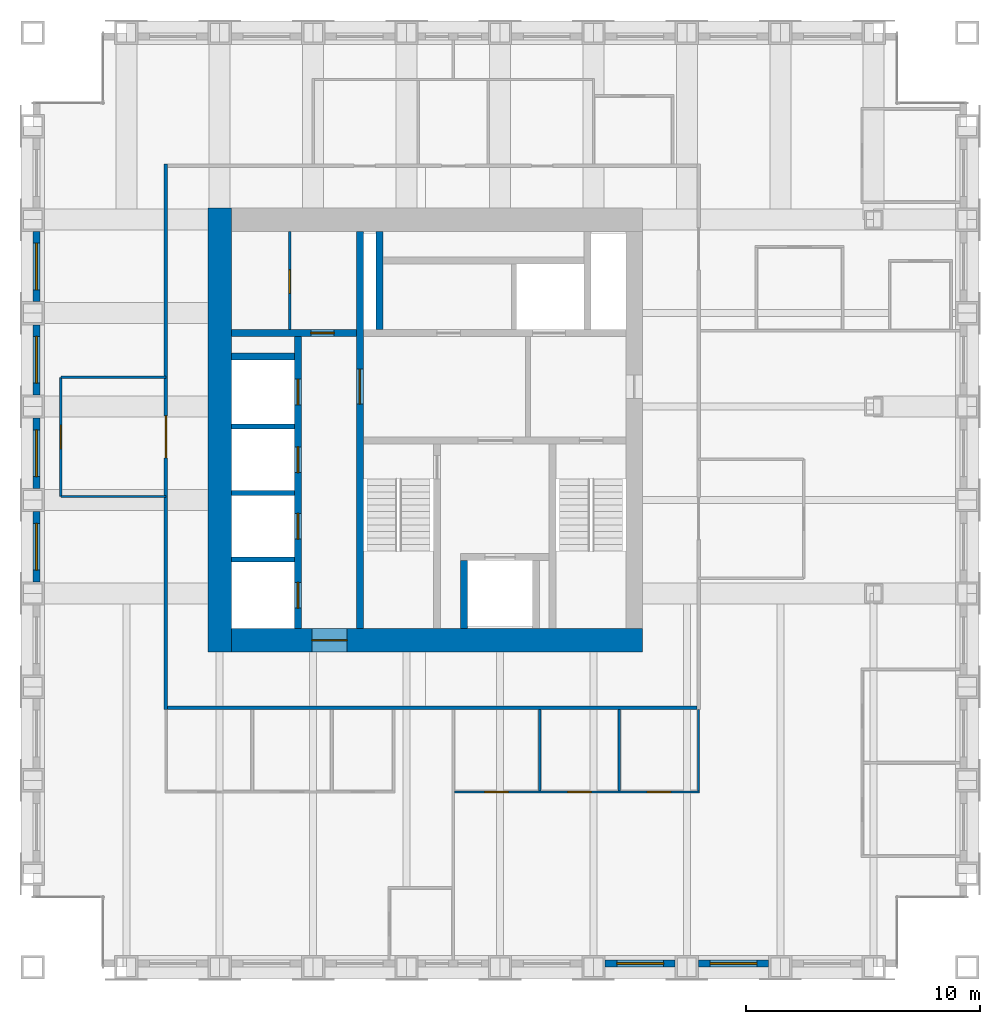
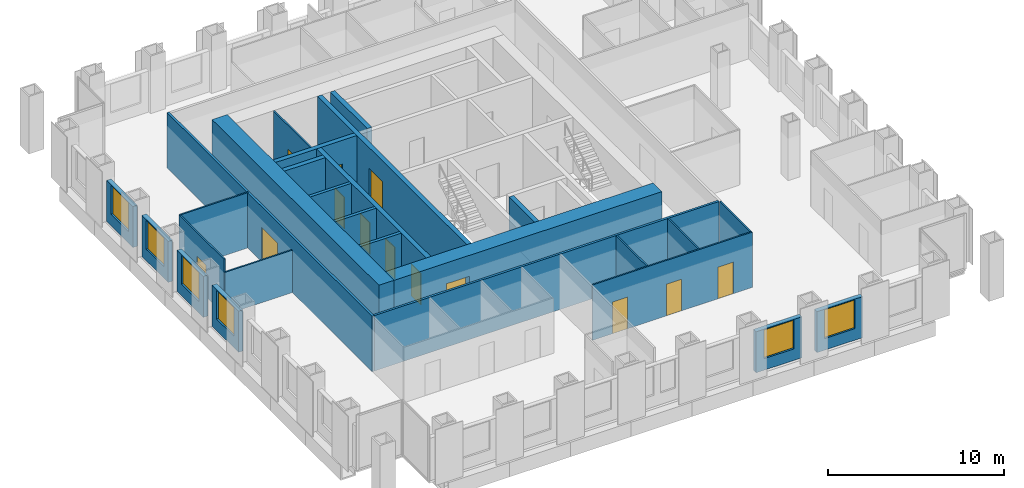
# One storey, part 8 of 13: 27 walls, 13 doors, 6 windows, 19 openings.
"""IFC4 building model written with IfcOpenShell, lengths in metres."""

import ifcopenshell
import ifcopenshell.guid

model = None  # the IFC model being written
_history = None  # IfcOwnerHistory: only IFC2X3 demands one
_inside = {}  # id of a spatial element -> (the spatial element, [elements in it])
_under = {}  # id of a project, library or spatial element -> (it, [spatial elements below it])
_declared = {}  # id of a project -> (the project, [libraries it declares])
_typed = {}  # id of a type object -> (the type object, [elements of that type])
_made_of = {}  # id of a material, layer set ... -> (it, [elements and type objects made of it])


def new_model(schema):
    """Start an empty IFC model of exactly this schema.

    Asked for "IFC4X3", IfcOpenShell would pick the latest addendum, in which some entities
    have other attributes; the version numbers below select the first issue.
    IFC2X3 requires an IfcOwnerHistory on every rooted entity: one is made here for all.
    """
    global model, _history
    if schema == "IFC4X3":
        model = ifcopenshell.file(schema_version=(4, 3, 0, 0))
    else:
        model = ifcopenshell.file(schema=schema)
    _inside.clear()
    _under.clear()
    _declared.clear()
    _typed.clear()
    _made_of.clear()
    _history = None
    if model.schema == "IFC2X3":
        org = make("IfcOrganization", Name="unknown")
        user = make(
            "IfcPersonAndOrganization",
            ThePerson=make("IfcPerson", FamilyName="unknown"),
            TheOrganization=org,
        )
        app = make(
            "IfcApplication",
            ApplicationDeveloper=org,
            Version="unknown",
            ApplicationFullName="unknown",
            ApplicationIdentifier="unknown",
        )
        _history = make(
            "IfcOwnerHistory",
            OwningUser=user,
            OwningApplication=app,
            ChangeAction="ADDED",
            CreationDate=0,
        )
    return model


def make(cls, **values):
    """One entity of the class cls with the attributes given. An attribute that is None is left unset."""
    return model.create_entity(
        cls, **{name: value for name, value in values.items() if value is not None}
    )


def rooted(cls, **values):
    """An entity with a GlobalId (a new one), such as an element, a storey or a relation."""
    return make(cls, GlobalId=ifcopenshell.guid.new(), OwnerHistory=_history, **values)


def si_unit(unit_type, name, prefix=None):
    """IfcSIUnit, for example si_unit("LENGTHUNIT", "METRE", prefix="MILLI")."""
    return make("IfcSIUnit", UnitType=unit_type, Prefix=prefix, Name=name)


def assignment(units):
    """IfcUnitAssignment: the units of a project."""
    return None if units is None else make("IfcUnitAssignment", Units=units)


def point(xyz):
    """IfcCartesianPoint."""
    return None if xyz is None else make("IfcCartesianPoint", Coordinates=xyz)


def direction(xyz):
    """IfcDirection."""
    return None if xyz is None else make("IfcDirection", DirectionRatios=xyz)


def frame(location, z_axis=None, x_axis=None):
    """IfcAxis2Placement3D, a coordinate frame: its origin and axes. An axis left out is left unset."""
    return make(
        "IfcAxis2Placement3D",
        Location=point(location),
        Axis=direction(z_axis),
        RefDirection=direction(x_axis),
    )


def frame_2d(location, x_axis=None):
    """IfcAxis2Placement2D, a coordinate frame in the plane: its origin and x axis."""
    return make(
        "IfcAxis2Placement2D", Location=point(location), RefDirection=direction(x_axis)
    )


def origin():
    """The frame at (0, 0, 0) with its axes left unset."""
    return frame((0.0, 0.0, 0.0))


def place(relative_to, where):
    """IfcLocalPlacement: puts the frame where relative to a parent placement (None: the world)."""
    return make(
        "IfcLocalPlacement", PlacementRelTo=relative_to, RelativePlacement=where
    )


def context(
    kind, dimensions, precision=None, world=None, true_north=None, identifier=None
):
    """IfcGeometricRepresentationContext, for example the 3D "Model" context."""
    return make(
        "IfcGeometricRepresentationContext",
        ContextIdentifier=identifier,
        ContextType=kind,
        CoordinateSpaceDimension=dimensions,
        Precision=precision,
        WorldCoordinateSystem=world,
        TrueNorth=true_north,
    )


def subcontext(parent, identifier, kind, view, scale=None):
    """IfcGeometricRepresentationSubContext, for example "Body" below "Model"."""
    return make(
        "IfcGeometricRepresentationSubContext",
        ContextIdentifier=identifier,
        ContextType=kind,
        ParentContext=parent,
        TargetScale=scale,
        TargetView=view,
    )


def project(units=None, contexts=None):
    """IfcProject with its units and contexts."""
    return rooted(
        "IfcProject",
        Name="project",
        RepresentationContexts=contexts,
        UnitsInContext=assignment(units),
    )


def spatial(cls, under=None, at=None, **own):
    """A site, building, storey or space (cls), placed at a placement, below another one or the project."""
    s = rooted(cls, ObjectPlacement=at, **own)
    if under is not None:
        _under.setdefault(under.id(), (under, []))[1].append(s)
    return s


def profile(cls, at=None, kind="AREA", **sizes):
    """A parametric profile (cls). Its sizes go by their IFC names, for example OverallWidth=200.0."""
    return make(cls, ProfileType=kind, Position=at, **sizes)


def rectangle(**sizes):
    """IfcRectangleProfileDef."""
    return profile("IfcRectangleProfileDef", **sizes)


def extrude(swept, where, along, depth):
    """IfcExtrudedAreaSolid: the profile swept, set in the frame where, extruded along a direction by depth."""
    return make(
        "IfcExtrudedAreaSolid",
        SweptArea=swept,
        Position=where,
        ExtrudedDirection=direction(along),
        Depth=depth,
    )


def shape(context_of_items, identifier, shape_type, items):
    """IfcShapeRepresentation: the items that make up one representation, for example the "Body"."""
    return make(
        "IfcShapeRepresentation",
        ContextOfItems=context_of_items,
        RepresentationIdentifier=identifier,
        RepresentationType=shape_type,
        Items=items,
    )


def material(Name=None, Category=None):
    """IfcMaterial."""
    return make("IfcMaterial", Name=Name, Category=Category)


def layer(
    of_material, thickness, ventilated=None, Name=None, Category=None, Priority=None
):
    """IfcMaterialLayer: one layer of a wall or slab, of a material (None: an air gap)."""
    return make(
        "IfcMaterialLayer",
        Material=of_material,
        LayerThickness=thickness,
        IsVentilated=ventilated,
        Name=Name,
        Category=Category,
        Priority=Priority,
    )


def layer_set(layers, Name=None):
    """IfcMaterialLayerSet."""
    return make("IfcMaterialLayerSet", MaterialLayers=layers, LayerSetName=Name)


def made_of(thing, what):
    """Note that an element or type object is made of a material, layer set ...; save() writes the relation."""
    if what is not None:
        _made_of.setdefault(what.id(), (what, []))[1].append(thing)
    return thing


def type_object(cls, material=None, **own):
    """A type object (cls), such as IfcWallType, which elements share."""
    return made_of(rooted(cls, **own), material)


def element(
    cls,
    number,
    at=None,
    inside=None,
    cuts=None,
    type_object=None,
    material=None,
    context=None,
    identifier="Body",
    shape_type=None,
    held_by="IfcProductDefinitionShape",
    body=None,
    shapes=None,
    **own,
):
    """One element of the class cls, such as IfcWall. Its Tag is "e" and its number.

    at: its placement. inside: the storey or other place that contains it. cuts: it is an
    opening in that element (IfcRelVoidsElement). A single representation is given by context,
    identifier, shape_type and body (its items); several are given by shapes. held_by: the class
    of the entity that holds the representations. save() writes the other relations.
    """
    e = rooted(cls, Tag="e%d" % number, ObjectPlacement=at, **own)
    if body is not None:
        shapes = [shape(context, identifier, shape_type, body)]
    if shapes is not None:
        e.Representation = make(held_by, Representations=shapes)
    if inside is not None:
        _inside.setdefault(inside.id(), (inside, []))[1].append(e)
    if cuts is not None:
        rooted(
            "IfcRelVoidsElement", RelatingBuildingElement=cuts, RelatedOpeningElement=e
        )
    if type_object is not None:
        _typed.setdefault(type_object.id(), (type_object, []))[1].append(e)
    return made_of(e, material)


def fill(opening, filler):
    """IfcRelFillsElement: the door or window that sits in an opening."""
    return rooted(
        "IfcRelFillsElement",
        RelatingOpeningElement=opening,
        RelatedBuildingElement=filler,
    )


def aggregate(whole, parts):
    """IfcRelAggregates: a whole, such as a stair, and the parts it consists of."""
    return rooted("IfcRelAggregates", RelatingObject=whole, RelatedObjects=parts)


def save(model, path):
    """Write the relations noted so far, then the file.

    IfcRelAggregates (storeys below a building ...), IfcRelContainedInSpatialStructure (elements
    in a storey), IfcRelDefinesByType, IfcRelAssociatesMaterial and IfcRelDeclares: one each for
    every whole, place, type object, material and project.
    """
    for whole, parts in _under.values():
        aggregate(whole, parts)
    for where, things in _inside.values():
        rooted(
            "IfcRelContainedInSpatialStructure",
            RelatedElements=things,
            RelatingStructure=where,
        )
    for kind, things in _typed.values():
        rooted("IfcRelDefinesByType", RelatedObjects=things, RelatingType=kind)
    for what, things in _made_of.values():
        rooted("IfcRelAssociatesMaterial", RelatedObjects=things, RelatingMaterial=what)
    for by, libraries in _declared.values():
        rooted("IfcRelDeclares", RelatingContext=by, RelatedDefinitions=libraries)
    model.write(path)


model = new_model("IFC4")

# Units and contexts
model_context = context("Model", 3, precision=1e-05, world=origin(), true_north=direction((0.0, 1.0)))
body_context = subcontext(model_context, "Body", "Model", "MODEL_VIEW")
ifc_project = project(units=[si_unit("LENGTHUNIT", "METRE"), si_unit("AREAUNIT", "SQUARE_METRE"), si_unit("VOLUMEUNIT", "CUBIC_METRE"), si_unit("PLANEANGLEUNIT", "RADIAN"), si_unit("MASSUNIT", "GRAM", prefix="KILO")], contexts=[model_context])

# Site, building, storey
site_placement = place(None, origin())
site = spatial("IfcSite", under=ifc_project, at=site_placement, CompositionType="ELEMENT")
building_placement = place(site_placement, origin())
building = spatial("IfcBuilding", under=site, at=building_placement, Name="Rimbunsela Tower", CompositionType="ELEMENT")
storey_placement = place(building_placement, frame((0.0, 0.0, 254.199951171875)))
storey = spatial("IfcBuildingStorey", under=building, at=storey_placement, Name="L61", CompositionType="ELEMENT", Elevation=254.199951171875)

# Wall, opening, door
ifc_material_1 = material(Name="Concrete fc' 80 MPa", Category="concrete")
ifc_layer_1 = layer(ifc_material_1, 0.300048828125)
ifc_layer_set_1 = layer_set([ifc_layer_1], Name="Core internal wall 300")
wall_type_1 = type_object("IfcWallType", Name="Core internal wall 300", PredefinedType="SHEAR", material=ifc_layer_set_1)
wall_1_placement = place(storey_placement, frame((24.0, 18.5, -0.14990234375), z_axis=(0.0, 0.0, 1.0), x_axis=(0.0, 1.0, 0.0)))
wall_1 = element("IfcWall", 1, at=wall_1_placement, inside=storey, type_object=wall_type_1, Name="Core wall at stair A", PredefinedType="SHEAR", context=body_context, shape_type="SweptSolid", body=[
    extrude(rectangle(XDim=17.0, YDim=0.300048828125, at=frame_2d((8.5, 0.0))), origin(), (0.0, 0.0, 1.0), 4.0),
])
opening_1_placement = place(wall_1_placement, frame((9.60009765625, 0.0, 0.14990234375)))
opening_1 = element("IfcOpeningElement", 2, at=opening_1_placement, cuts=wall_1, Name="Opening D03", PredefinedType="OPENING", context=body_context, shape_type="SweptSolid", body=[
    extrude(rectangle(XDim=1.5, YDim=2.39990234375, at=frame_2d((0.75, 1.199951171875))), frame((0.0, 0.159912109375, 0.0), z_axis=(0.0, -1.0, 0.0), x_axis=(1.0, 0.0, 0.0)), (0.0, 0.0, 1.0), 0.320068359375),
])
ifc_material_2 = material(Name="Steel door, fire rated", Category="steel")
door_type_1 = type_object("IfcDoorType", Name="Core lobby door 1500", OperationType="DOUBLE_DOOR_DOUBLE_SWING", PredefinedType="DOOR", material=ifc_material_2)
door_1_placement = place(opening_1_placement, origin())
door_1 = element("IfcDoor", 3, at=door_1_placement, inside=storey, type_object=door_type_1, Name="West lobby door", OperationType="DOUBLE_DOOR_DOUBLE_SWING", OverallHeight=2.39990234375, OverallWidth=1.5, PredefinedType="DOOR", context=body_context, shape_type="SweptSolid", body=[
    extrude(rectangle(XDim=1.5, YDim=2.39990234375, at=frame_2d((0.75, 1.199951171875))), frame((0.0, 0.02490234375, 0.0), z_axis=(0.0, -1.0, 0.0), x_axis=(1.0, 0.0, 0.0)), (0.0, 0.0, 1.0), 0.050048828125),
])
fill(opening_1, door_1)

# Wall
wall_2_placement = place(storey_placement, frame((28.449951171875, 18.5, -0.14990234375), z_axis=(0.0, 0.0, 1.0), x_axis=(0.0, 1.0, 0.0)))
element("IfcWall", 4, at=wall_2_placement, inside=storey, type_object=wall_type_1, Name="Firefighting lift shaft west", PredefinedType="SHEAR", context=body_context, shape_type="SweptSolid", body=[
    extrude(rectangle(XDim=2.89990234375, YDim=0.300048828125, at=frame_2d((1.449951171875, 0.0))), origin(), (0.0, 0.0, 1.0), 4.0),
])

# Wall, openings, doors
wall_3_placement = place(storey_placement, frame((21.35009765625, 18.5, -0.14990234375), z_axis=(0.0, 0.0, 1.0), x_axis=(0.0, 1.0, 0.0)))
wall_3 = element("IfcWall", 5, at=wall_3_placement, inside=storey, type_object=wall_type_1, Name="Lift shaft front west", PredefinedType="SHEAR", context=body_context, shape_type="SweptSolid", body=[
    extrude(rectangle(XDim=12.5, YDim=0.300048828125, at=frame_2d((6.25, 0.0))), origin(), (0.0, 0.0, 1.0), 4.0),
])
opening_2_placement = place(wall_3_placement, frame((0.875, 0.0, 0.14990234375)))
opening_2 = element("IfcOpeningElement", 6, at=opening_2_placement, cuts=wall_3, Name="Opening LD1", PredefinedType="OPENING", context=body_context, shape_type="SweptSolid", body=[
    extrude(rectangle(XDim=1.10009765625, YDim=2.199951171875, at=frame_2d((0.550048828125, 1.10009765625))), frame((0.0, 0.159912109375, 0.0), z_axis=(0.0, -1.0, 0.0), x_axis=(1.0, 0.0, 0.0)), (0.0, 0.0, 1.0), 0.320068359375),
])
opening_3_placement = place(wall_3_placement, frame((3.824951171875, 0.0, 0.14990234375)))
opening_3 = element("IfcOpeningElement", 7, at=opening_3_placement, cuts=wall_3, Name="Opening LD1", PredefinedType="OPENING", context=body_context, shape_type="SweptSolid", body=[
    extrude(rectangle(XDim=1.10009765625, YDim=2.199951171875, at=frame_2d((0.550048828125, 1.10009765625))), frame((0.0, 0.159912109375, 0.0), z_axis=(0.0, -1.0, 0.0), x_axis=(1.0, 0.0, 0.0)), (0.0, 0.0, 1.0), 0.320068359375),
])
opening_4_placement = place(wall_3_placement, frame((6.675048828125, 0.0, 0.14990234375)))
opening_4 = element("IfcOpeningElement", 8, at=opening_4_placement, cuts=wall_3, Name="Opening LD1", PredefinedType="OPENING", context=body_context, shape_type="SweptSolid", body=[
    extrude(rectangle(XDim=1.10009765625, YDim=2.199951171875, at=frame_2d((0.550048828125, 1.10009765625))), frame((0.0, 0.159912109375, 0.0), z_axis=(0.0, -1.0, 0.0), x_axis=(1.0, 0.0, 0.0)), (0.0, 0.0, 1.0), 0.320068359375),
])
opening_5_placement = place(wall_3_placement, frame((9.574951171875, 0.0, 0.14990234375)))
opening_5 = element("IfcOpeningElement", 9, at=opening_5_placement, cuts=wall_3, Name="Opening LD1", PredefinedType="OPENING", context=body_context, shape_type="SweptSolid", body=[
    extrude(rectangle(XDim=1.10009765625, YDim=2.199951171875, at=frame_2d((0.550048828125, 1.10009765625))), frame((0.0, 0.159912109375, 0.0), z_axis=(0.0, -1.0, 0.0), x_axis=(1.0, 0.0, 0.0)), (0.0, 0.0, 1.0), 0.320068359375),
])
ifc_material_3 = material(Name="Steel door, fire rated", Category="steel")
door_type_2 = type_object("IfcDoorType", Name="Lift landing door 1100", OperationType="DOUBLE_DOOR_SLIDING", PredefinedType="DOOR", material=ifc_material_3)
door_2_placement = place(opening_2_placement, origin())
door_2 = element("IfcDoor", 10, at=door_2_placement, inside=storey, type_object=door_type_2, Name="Lift landing door TL1", OperationType="DOUBLE_DOOR_SLIDING", OverallHeight=2.199951171875, OverallWidth=1.10009765625, PredefinedType="DOOR", context=body_context, shape_type="SweptSolid", body=[
    extrude(rectangle(XDim=1.10009765625, YDim=2.199951171875, at=frame_2d((0.550048828125, 1.10009765625))), frame((0.0, 0.02490234375, 0.0), z_axis=(0.0, -1.0, 0.0), x_axis=(1.0, 0.0, 0.0)), (0.0, 0.0, 1.0), 0.050048828125),
])
fill(opening_2, door_2)
door_3_placement = place(opening_3_placement, origin())
door_3 = element("IfcDoor", 11, at=door_3_placement, inside=storey, type_object=door_type_2, Name="Lift landing door TL2", OperationType="DOUBLE_DOOR_SLIDING", OverallHeight=2.199951171875, OverallWidth=1.10009765625, PredefinedType="DOOR", context=body_context, shape_type="SweptSolid", body=[
    extrude(rectangle(XDim=1.10009765625, YDim=2.199951171875, at=frame_2d((0.550048828125, 1.10009765625))), frame((0.0, 0.02490234375, 0.0), z_axis=(0.0, -1.0, 0.0), x_axis=(1.0, 0.0, 0.0)), (0.0, 0.0, 1.0), 0.050048828125),
])
fill(opening_3, door_3)
door_4_placement = place(opening_4_placement, origin())
door_4 = element("IfcDoor", 12, at=door_4_placement, inside=storey, type_object=door_type_2, Name="Lift landing door TL3", OperationType="DOUBLE_DOOR_SLIDING", OverallHeight=2.199951171875, OverallWidth=1.10009765625, PredefinedType="DOOR", context=body_context, shape_type="SweptSolid", body=[
    extrude(rectangle(XDim=1.10009765625, YDim=2.199951171875, at=frame_2d((0.550048828125, 1.10009765625))), frame((0.0, 0.02490234375, 0.0), z_axis=(0.0, -1.0, 0.0), x_axis=(1.0, 0.0, 0.0)), (0.0, 0.0, 1.0), 0.050048828125),
])
fill(opening_4, door_4)
door_5_placement = place(opening_5_placement, origin())
door_5 = element("IfcDoor", 13, at=door_5_placement, inside=storey, type_object=door_type_2, Name="Lift landing door TL4", OperationType="DOUBLE_DOOR_SLIDING", OverallHeight=2.199951171875, OverallWidth=1.10009765625, PredefinedType="DOOR", context=body_context, shape_type="SweptSolid", body=[
    extrude(rectangle(XDim=1.10009765625, YDim=2.199951171875, at=frame_2d((0.550048828125, 1.10009765625))), frame((0.0, 0.02490234375, 0.0), z_axis=(0.0, -1.0, 0.0), x_axis=(1.0, 0.0, 0.0)), (0.0, 0.0, 1.0), 0.050048828125),
])
fill(opening_5, door_5)

# Wall, opening, door
wall_4_placement = place(storey_placement, frame((18.5, 31.14990234375, -0.14990234375), z_axis=(0.0, 0.0, 1.0), x_axis=(1.0, 0.0, 0.0)))
wall_4 = element("IfcWall", 14, at=wall_4_placement, inside=storey, type_object=wall_type_1, Name="Store wall", PredefinedType="SHEAR", context=body_context, shape_type="SweptSolid", body=[
    extrude(rectangle(XDim=5.35009765625, YDim=0.300048828125, at=frame_2d((2.675048828125, 0.0))), origin(), (0.0, 0.0, 1.0), 4.0),
])
opening_6_placement = place(wall_4_placement, frame((3.39990234375, 0.0, 0.14990234375)))
opening_6 = element("IfcOpeningElement", 15, at=opening_6_placement, cuts=wall_4, Name="Opening D19", PredefinedType="OPENING", context=body_context, shape_type="SweptSolid", body=[
    extrude(rectangle(XDim=1.0, YDim=2.199951171875, at=frame_2d((0.5, 1.10009765625))), frame((0.0, 0.159912109375, 0.0), z_axis=(0.0, -1.0, 0.0), x_axis=(1.0, 0.0, 0.0)), (0.0, 0.0, 1.0), 0.320068359375),
])
ifc_material_4 = material(Name="Steel door, fire rated", Category="steel")
door_type_3 = type_object("IfcDoorType", Name="Service door 1000 fire rated", OperationType="SINGLE_SWING_LEFT", PredefinedType="DOOR", material=ifc_material_4)
door_6_placement = place(opening_6_placement, origin())
door_6 = element("IfcDoor", 16, at=door_6_placement, inside=storey, type_object=door_type_3, Name="Facilities store door", OperationType="SINGLE_SWING_LEFT", OverallHeight=2.199951171875, OverallWidth=1.0, PredefinedType="DOOR", context=body_context, shape_type="SweptSolid", body=[
    extrude(rectangle(XDim=1.0, YDim=2.199951171875, at=frame_2d((0.5, 1.10009765625))), frame((0.0, 0.02490234375, 0.0), z_axis=(0.0, -1.0, 0.0), x_axis=(1.0, 0.0, 0.0)), (0.0, 0.0, 1.0), 0.050048828125),
])
fill(opening_6, door_6)

# Walls
wall_5_placement = place(storey_placement, frame((18.5, 30.14990234375, -0.14990234375), z_axis=(0.0, 0.0, 1.0), x_axis=(1.0, 0.0, 0.0)))
element("IfcWall", 17, at=wall_5_placement, inside=storey, type_object=wall_type_1, Name="Lift shaft rear west", PredefinedType="SHEAR", context=body_context, shape_type="SweptSolid", body=[
    extrude(rectangle(XDim=2.699951171875, YDim=0.300048828125, at=frame_2d((1.35009765625, 0.0))), origin(), (0.0, 0.0, 1.0), 4.0),
])
wall_6_placement = place(storey_placement, frame((24.85009765625, 31.300048828125, -0.14990234375), z_axis=(0.0, 0.0, 1.0), x_axis=(0.0, 1.0, 0.0)))
element("IfcWall", 18, at=wall_6_placement, inside=storey, type_object=wall_type_1, Name="Riser wall", PredefinedType="SHEAR", context=body_context, shape_type="SweptSolid", body=[
    extrude(rectangle(XDim=4.199951171875, YDim=0.300048828125, at=frame_2d((2.10009765625, 0.0))), origin(), (0.0, 0.0, 1.0), 4.0),
])

# Wall, opening, door
ifc_material_5 = material(Name="Concrete blockwork", Category="masonry")
ifc_layer_2 = layer(ifc_material_5, 0.10009765625)
ifc_layer_set_2 = layer_set([ifc_layer_2], Name="Core room partition 100")
wall_type_2 = type_object("IfcWallType", Name="Core room partition 100", PredefinedType="PARTITIONING", material=ifc_layer_set_2)
wall_7_placement = place(storey_placement, frame((21.0, 31.300048828125, 0.0), z_axis=(0.0, 0.0, 1.0), x_axis=(0.0, 1.0, 0.0)))
wall_7 = element("IfcWall", 19, at=wall_7_placement, inside=storey, type_object=wall_type_2, Name="Equipment store wall", PredefinedType="PARTITIONING", context=body_context, shape_type="SweptSolid", body=[
    extrude(rectangle(XDim=4.199951171875, YDim=0.10009765625, at=frame_2d((2.10009765625, 0.0))), origin(), (0.0, 0.0, 1.0), 3.85009765625),
])
opening_7_placement = place(wall_7_placement, frame((1.550048828125, 0.0, 0.0)))
opening_7 = element("IfcOpeningElement", 20, at=opening_7_placement, cuts=wall_7, Name="Opening D19", PredefinedType="OPENING", context=body_context, shape_type="SweptSolid", body=[
    extrude(rectangle(XDim=1.0, YDim=2.199951171875, at=frame_2d((0.5, 1.10009765625))), frame((0.0, 0.06005859375, 0.0), z_axis=(0.0, -1.0, 0.0), x_axis=(1.0, 0.0, 0.0)), (0.0, 0.0, 1.0), 0.1201171875),
])
door_7_placement = place(opening_7_placement, origin())
door_7 = element("IfcDoor", 21, at=door_7_placement, inside=storey, type_object=door_type_3, Name="Equipment store door", OperationType="SINGLE_SWING_LEFT", OverallHeight=2.199951171875, OverallWidth=1.0, PredefinedType="DOOR", context=body_context, shape_type="SweptSolid", body=[
    extrude(rectangle(XDim=1.0, YDim=2.199951171875, at=frame_2d((0.5, 1.10009765625))), frame((0.0, 0.02490234375, 0.0), z_axis=(0.0, -1.0, 0.0), x_axis=(1.0, 0.0, 0.0)), (0.0, 0.0, 1.0), 0.050048828125),
])
fill(opening_7, door_7)

# Wall
ifc_material_6 = material(Name="Concrete fc' 80 MPa", Category="concrete")
ifc_layer_3 = layer(ifc_material_6, 1.0)
ifc_layer_set_3 = layer_set([ifc_layer_3], Name="Core wall 1000")
wall_type_3 = type_object("IfcWallType", Name="Core wall 1000", PredefinedType="SHEAR", material=ifc_layer_set_3)
wall_8_placement = place(storey_placement, frame((18.0, 17.5, -0.14990234375), z_axis=(0.0, 0.0, 1.0), x_axis=(0.0, 1.0, 0.0)))
element("IfcWall", 22, at=wall_8_placement, inside=storey, type_object=wall_type_3, Name="Core wall west", PredefinedType="SHEAR", context=body_context, shape_type="SweptSolid", body=[
    extrude(rectangle(XDim=19.0, YDim=1.0, at=frame_2d((9.5, 0.0))), origin(), (0.0, 0.0, 1.0), 4.0),
])

# Wall, opening, door
wall_9_placement = place(storey_placement, frame((18.5, 18.0, -0.14990234375), z_axis=(0.0, 0.0, 1.0), x_axis=(1.0, 0.0, 0.0)))
wall_9 = element("IfcWall", 23, at=wall_9_placement, inside=storey, type_object=wall_type_3, Name="Core wall south", PredefinedType="SHEAR", context=body_context, shape_type="SweptSolid", body=[
    extrude(rectangle(XDim=17.60009765625, YDim=1.0, at=frame_2d((8.800048828125, 0.0))), origin(), (0.0, 0.0, 1.0), 4.0),
])
opening_8_placement = place(wall_9_placement, frame((3.449951171875, 0.0, 0.14990234375)))
opening_8 = element("IfcOpeningElement", 24, at=opening_8_placement, cuts=wall_9, Name="Opening D03", PredefinedType="OPENING", context=body_context, shape_type="SweptSolid", body=[
    extrude(rectangle(XDim=1.5, YDim=2.39990234375, at=frame_2d((0.75, 1.199951171875))), frame((0.0, 0.510009765625, 0.0), z_axis=(0.0, -1.0, 0.0), x_axis=(1.0, 0.0, 0.0)), (0.0, 0.0, 1.0), 1.02001953125),
])
door_8_placement = place(opening_8_placement, origin())
door_8 = element("IfcDoor", 25, at=door_8_placement, inside=storey, type_object=door_type_1, Name="Core door south", OperationType="DOUBLE_DOOR_DOUBLE_SWING", OverallHeight=2.39990234375, OverallWidth=1.5, PredefinedType="DOOR", context=body_context, shape_type="SweptSolid", body=[
    extrude(rectangle(XDim=1.5, YDim=2.39990234375, at=frame_2d((0.75, 1.199951171875))), frame((0.0, 0.02490234375, 0.0), z_axis=(0.0, -1.0, 0.0), x_axis=(1.0, 0.0, 0.0)), (0.0, 0.0, 1.0), 0.050048828125),
])
fill(opening_8, door_8)

# Walls
ifc_material_7 = material(Name="Concrete blockwork", Category="masonry")
ifc_layer_4 = layer(ifc_material_7, 0.199951171875)
ifc_layer_set_4 = layer_set([ifc_layer_4], Name="Lift shaft wall 200")
wall_type_4 = type_object("IfcWallType", Name="Lift shaft wall 200", PredefinedType="SOLIDWALL", material=ifc_layer_set_4)
for number, where, z_axis, x_axis, name in (
    (26, (18.5, 21.449951171875, -0.14990234375), (0.0, 0.0, 1.0), (1.0, 0.0, 0.0), "Lift shaft separation"),
    (27, (18.5, 24.300048828125, -0.14990234375), (0.0, 0.0, 1.0), (1.0, 0.0, 0.0), "Lift shaft separation"),
    (28, (18.5, 27.14990234375, -0.14990234375), (0.0, 0.0, 1.0), (1.0, 0.0, 0.0), "Lift shaft separation"),
):
    element("IfcWall", number, at=place(storey_placement, frame(where, z_axis=z_axis, x_axis=x_axis)), inside=storey, type_object=wall_type_4, Name=name, PredefinedType="SOLIDWALL", context=body_context, shape_type="SweptSolid", body=[
        extrude(rectangle(XDim=2.699951171875, YDim=0.199951171875, at=frame_2d((1.35009765625, 0.0))), origin(), (0.0, 0.0, 1.0), 4.0),
    ])

# Wall, openings, doors
ifc_material_8 = material(Name="Gypsum board on steel studs", Category="steel")
ifc_layer_5 = layer(ifc_material_8, 0.10009765625)
ifc_layer_set_5 = layer_set([ifc_layer_5], Name="Office partition 100")
wall_type_5 = type_object("IfcWallType", Name="Office partition 100", PredefinedType="PARTITIONING", material=ifc_layer_set_5)
wall_10_placement = place(storey_placement, frame((28.06103515625, 11.5, 0.0), z_axis=(0.0, 0.0, 1.0), x_axis=(1.0, 0.0, 0.0)))
wall_10 = element("IfcWall", 29, at=wall_10_placement, inside=storey, type_object=wall_type_5, Name="Office partition", PredefinedType="PARTITIONING", context=body_context, shape_type="SweptSolid", body=[
    extrude(rectangle(XDim=10.489013671875, YDim=0.10009765625, at=frame_2d((5.24462890625, 0.0))), origin(), (0.0, 0.0, 1.0), 3.85009765625),
])
opening_9_placement = place(wall_10_placement, frame((1.2900390625, 0.0, 0.0)))
opening_9 = element("IfcOpeningElement", 30, at=opening_9_placement, cuts=wall_10, Name="Opening D17", PredefinedType="OPENING", context=body_context, shape_type="SweptSolid", body=[
    extrude(rectangle(XDim=1.0, YDim=2.199951171875, at=frame_2d((0.5, 1.10009765625))), frame((0.0, 0.06005859375, 0.0), z_axis=(0.0, -1.0, 0.0), x_axis=(1.0, 0.0, 0.0)), (0.0, 0.0, 1.0), 0.1201171875),
])
opening_10_placement = place(wall_10_placement, frame((4.840087890625, 0.0, 0.0)))
opening_10 = element("IfcOpeningElement", 31, at=opening_10_placement, cuts=wall_10, Name="Opening D16", PredefinedType="OPENING", context=body_context, shape_type="SweptSolid", body=[
    extrude(rectangle(XDim=1.0, YDim=2.199951171875, at=frame_2d((0.5, 1.10009765625))), frame((0.0, 0.06005859375, 0.0), z_axis=(0.0, -1.0, 0.0), x_axis=(1.0, 0.0, 0.0)), (0.0, 0.0, 1.0), 0.1201171875),
])
opening_11_placement = place(wall_10_placement, frame((8.239501953125, 0.0, 0.0)))
opening_11 = element("IfcOpeningElement", 32, at=opening_11_placement, cuts=wall_10, Name="Opening D16", PredefinedType="OPENING", context=body_context, shape_type="SweptSolid", body=[
    extrude(rectangle(XDim=1.0, YDim=2.199951171875, at=frame_2d((0.5, 1.10009765625))), frame((0.0, 0.06005859375, 0.0), z_axis=(0.0, -1.0, 0.0), x_axis=(1.0, 0.0, 0.0)), (0.0, 0.0, 1.0), 0.1201171875),
])
ifc_material_9 = material(Name="Glazed aluminium door", Category="aluminium")
door_type_4 = type_object("IfcDoorType", Name="Meeting room door 1000 glazed", OperationType="SINGLE_SWING_RIGHT", PredefinedType="DOOR", material=ifc_material_9)
door_9_placement = place(opening_9_placement, origin())
door_9 = element("IfcDoor", 33, at=door_9_placement, inside=storey, type_object=door_type_4, Name="Meeting room door", OperationType="SINGLE_SWING_RIGHT", OverallHeight=2.199951171875, OverallWidth=1.0, PredefinedType="DOOR", context=body_context, shape_type="SweptSolid", body=[
    extrude(rectangle(XDim=1.0, YDim=2.199951171875, at=frame_2d((0.5, 1.10009765625))), frame((0.0, 0.02490234375, 0.0), z_axis=(0.0, -1.0, 0.0), x_axis=(1.0, 0.0, 0.0)), (0.0, 0.0, 1.0), 0.050048828125),
])
fill(opening_9, door_9)
ifc_material_10 = material(Name="Timber door", Category="wood")
door_type_5 = type_object("IfcDoorType", Name="Office door 1000", OperationType="SINGLE_SWING_LEFT", PredefinedType="DOOR", material=ifc_material_10)
door_10_placement = place(opening_10_placement, origin())
door_10 = element("IfcDoor", 34, at=door_10_placement, inside=storey, type_object=door_type_5, Name="Office door", OperationType="SINGLE_SWING_LEFT", OverallHeight=2.199951171875, OverallWidth=1.0, PredefinedType="DOOR", context=body_context, shape_type="SweptSolid", body=[
    extrude(rectangle(XDim=1.0, YDim=2.199951171875, at=frame_2d((0.5, 1.10009765625))), frame((0.0, 0.02490234375, 0.0), z_axis=(0.0, -1.0, 0.0), x_axis=(1.0, 0.0, 0.0)), (0.0, 0.0, 1.0), 0.050048828125),
])
fill(opening_10, door_10)
door_11_placement = place(opening_11_placement, origin())
door_11 = element("IfcDoor", 35, at=door_11_placement, inside=storey, type_object=door_type_5, Name="Office door", OperationType="SINGLE_SWING_LEFT", OverallHeight=2.199951171875, OverallWidth=1.0, PredefinedType="DOOR", context=body_context, shape_type="SweptSolid", body=[
    extrude(rectangle(XDim=1.0, YDim=2.199951171875, at=frame_2d((0.5, 1.10009765625))), frame((0.0, 0.02490234375, 0.0), z_axis=(0.0, -1.0, 0.0), x_axis=(1.0, 0.0, 0.0)), (0.0, 0.0, 1.0), 0.050048828125),
])
fill(opening_11, door_11)

# Walls
for number, where, z_axis, x_axis, name in (
    (36, (31.700927734375, 11.550048828125, 0.0), (0.0, 0.0, 1.0), (0.0, 1.0, 0.0), "Office partition"),
    (37, (35.10107421875, 11.550048828125, 0.0), (0.0, 0.0, 1.0), (0.0, 1.0, 0.0), "Office partition"),
    (38, (38.5, 11.550048828125, 0.0), (0.0, 0.0, 1.0), (0.0, 1.0, 0.0), "Office partition"),
):
    element("IfcWall", number, at=place(storey_placement, frame(where, z_axis=z_axis, x_axis=x_axis)), inside=storey, type_object=wall_type_5, Name=name, PredefinedType="PARTITIONING", context=body_context, shape_type="SweptSolid", body=[
        extrude(rectangle(XDim=3.474853515625, YDim=0.10009765625, at=frame_2d((1.7373046875, 0.0))), origin(), (0.0, 0.0, 1.0), 3.85009765625),
    ])
wall_11_placement = place(storey_placement, frame((15.699951171875, 29.25, 0.0), z_axis=(0.0, 0.0, 1.0), x_axis=(-1.0, 0.0, 0.0)))
element("IfcWall", 39, at=wall_11_placement, inside=storey, type_object=wall_type_5, Name="Office partition", PredefinedType="PARTITIONING", context=body_context, shape_type="SweptSolid", body=[
    extrude(rectangle(XDim=4.5, YDim=0.10009765625, at=frame_2d((2.25, 0.0))), origin(), (0.0, 0.0, 1.0), 3.85009765625),
])

# Wall, opening, door
wall_12_placement = place(storey_placement, frame((11.199951171875, 29.25, 0.0), z_axis=(0.0, 0.0, 1.0), x_axis=(0.0, -1.0, 0.0)))
wall_12 = element("IfcWall", 40, at=wall_12_placement, inside=storey, type_object=wall_type_5, Name="Office partition", PredefinedType="PARTITIONING", context=body_context, shape_type="SweptSolid", body=[
    extrude(rectangle(XDim=5.10009765625, YDim=0.10009765625, at=frame_2d((2.550048828125, 0.0))), origin(), (0.0, 0.0, 1.0), 3.85009765625),
])
opening_12_placement = place(wall_12_placement, frame((2.050048828125, 0.0, 0.0)))
opening_12 = element("IfcOpeningElement", 41, at=opening_12_placement, cuts=wall_12, Name="Opening D17", PredefinedType="OPENING", context=body_context, shape_type="SweptSolid", body=[
    extrude(rectangle(XDim=1.0, YDim=2.199951171875, at=frame_2d((0.5, 1.10009765625))), frame((0.0, 0.06005859375, 0.0), z_axis=(0.0, -1.0, 0.0), x_axis=(1.0, 0.0, 0.0)), (0.0, 0.0, 1.0), 0.1201171875),
])
door_12_placement = place(opening_12_placement, origin())
door_12 = element("IfcDoor", 42, at=door_12_placement, inside=storey, type_object=door_type_4, Name="Reception door", OperationType="SINGLE_SWING_RIGHT", OverallHeight=2.199951171875, OverallWidth=1.0, PredefinedType="DOOR", context=body_context, shape_type="SweptSolid", body=[
    extrude(rectangle(XDim=1.0, YDim=2.199951171875, at=frame_2d((0.5, 1.10009765625))), frame((0.0, 0.02490234375, 0.0), z_axis=(0.0, -1.0, 0.0), x_axis=(1.0, 0.0, 0.0)), (0.0, 0.0, 1.0), 0.050048828125),
])
fill(opening_12, door_12)

# Wall
wall_13_placement = place(storey_placement, frame((11.199951171875, 24.14990234375, 0.0), z_axis=(0.0, 0.0, 1.0), x_axis=(1.0, 0.0, 0.0)))
element("IfcWall", 43, at=wall_13_placement, inside=storey, type_object=wall_type_5, Name="Office partition", PredefinedType="PARTITIONING", context=body_context, shape_type="SweptSolid", body=[
    extrude(rectangle(XDim=4.5, YDim=0.10009765625, at=frame_2d((2.25, 0.0))), origin(), (0.0, 0.0, 1.0), 2.949951171875),
])

# Wall, opening, window
ifc_material_11 = material(Name="Precast concrete fc' 35 MPa", Category="concrete")
ifc_layer_6 = layer(ifc_material_11, 0.300048828125)
ifc_layer_set_6 = layer_set([ifc_layer_6], Name="Precast concrete fc' 35 MPa")
wall_type_6 = type_object("IfcWallType", Name="Precast facade panel 300", PredefinedType="ELEMENTEDWALL", material=ifc_layer_set_6)
wall_14_placement = place(storey_placement, frame((34.5, 4.14990234375, 0.0), z_axis=(0.0, 0.0, 1.0), x_axis=(1.0, 0.0, 0.0)))
wall_14 = element("IfcWall", 44, at=wall_14_placement, inside=storey, type_object=wall_type_6, Name="Facade panel S L61", PredefinedType="ELEMENTEDWALL", context=body_context, shape_type="SweptSolid", body=[
    extrude(rectangle(XDim=3.0, YDim=0.300048828125, at=frame_2d((1.5, 0.0))), origin(), (0.0, 0.0, 1.0), 2.85009765625),
])
opening_13_placement = place(wall_14_placement, frame((0.5, 0.0, 0.800048828125)))
opening_13 = element("IfcOpeningElement", 45, at=opening_13_placement, cuts=wall_14, Name="Opening W1", PredefinedType="OPENING", context=body_context, shape_type="SweptSolid", body=[
    extrude(rectangle(XDim=2.0, YDim=2.0, at=frame_2d((1.0, 1.0))), frame((0.0, 0.159912109375, 0.0), z_axis=(0.0, -1.0, 0.0), x_axis=(1.0, 0.0, 0.0)), (0.0, 0.0, 1.0), 0.320068359375),
])
ifc_material_12 = material(Name="Clear glass in aluminium frame", Category="aluminium")
window_type = type_object("IfcWindowType", Name="Window W1 2000x2000", PartitioningType="DOUBLE_PANEL_VERTICAL", PredefinedType="WINDOW", material=ifc_material_12)
window_1_placement = place(opening_13_placement, origin())
window_1 = element("IfcWindow", 46, at=window_1_placement, inside=storey, type_object=window_type, Name="Window L61", OverallHeight=2.0, OverallWidth=2.0, PartitioningType="SINGLE_PANEL", PredefinedType="WINDOW", context=body_context, shape_type="SweptSolid", body=[
    extrude(rectangle(XDim=2.0, YDim=2.0, at=frame_2d((1.0, 1.0))), frame((0.0, 0.030029296875, 0.0), z_axis=(0.0, -1.0, 0.0), x_axis=(1.0, 0.0, 0.0)), (0.0, 0.0, 1.0), 0.06005859375),
])
fill(opening_13, window_1)

wall_15_placement = place(storey_placement, frame((38.5, 4.14990234375, 0.0), z_axis=(0.0, 0.0, 1.0), x_axis=(1.0, 0.0, 0.0)))
wall_15 = element("IfcWall", 47, at=wall_15_placement, inside=storey, type_object=wall_type_6, Name="Facade panel S L61", PredefinedType="ELEMENTEDWALL", context=body_context, shape_type="SweptSolid", body=[
    extrude(rectangle(XDim=3.0, YDim=0.300048828125, at=frame_2d((1.5, 0.0))), origin(), (0.0, 0.0, 1.0), 2.85009765625),
])
opening_14_placement = place(wall_15_placement, frame((0.5, 0.0, 0.800048828125)))
opening_14 = element("IfcOpeningElement", 48, at=opening_14_placement, cuts=wall_15, Name="Opening W1", PredefinedType="OPENING", context=body_context, shape_type="SweptSolid", body=[
    extrude(rectangle(XDim=2.0, YDim=2.0, at=frame_2d((1.0, 1.0))), frame((0.0, 0.159912109375, 0.0), z_axis=(0.0, -1.0, 0.0), x_axis=(1.0, 0.0, 0.0)), (0.0, 0.0, 1.0), 0.320068359375),
])
window_2_placement = place(opening_14_placement, origin())
window_2 = element("IfcWindow", 49, at=window_2_placement, inside=storey, type_object=window_type, Name="Window L61", OverallHeight=2.0, OverallWidth=2.0, PartitioningType="SINGLE_PANEL", PredefinedType="WINDOW", context=body_context, shape_type="SweptSolid", body=[
    extrude(rectangle(XDim=2.0, YDim=2.0, at=frame_2d((1.0, 1.0))), frame((0.0, 0.030029296875, 0.0), z_axis=(0.0, -1.0, 0.0), x_axis=(1.0, 0.0, 0.0)), (0.0, 0.0, 1.0), 0.06005859375),
])
fill(opening_14, window_2)

wall_16_placement = place(storey_placement, frame((10.14990234375, 23.5, 0.0), z_axis=(0.0, 0.0, 1.0), x_axis=(0.0, -1.0, 0.0)))
wall_16 = element("IfcWall", 50, at=wall_16_placement, inside=storey, type_object=wall_type_6, Name="Facade panel W L61", PredefinedType="ELEMENTEDWALL", context=body_context, shape_type="SweptSolid", body=[
    extrude(rectangle(XDim=3.0, YDim=0.300048828125, at=frame_2d((1.5, 0.0))), origin(), (0.0, 0.0, 1.0), 2.85009765625),
])
opening_15_placement = place(wall_16_placement, frame((0.5, 0.0, 0.800048828125)))
opening_15 = element("IfcOpeningElement", 51, at=opening_15_placement, cuts=wall_16, Name="Opening W1", PredefinedType="OPENING", context=body_context, shape_type="SweptSolid", body=[
    extrude(rectangle(XDim=2.0, YDim=2.0, at=frame_2d((1.0, 1.0))), frame((0.0, 0.159912109375, 0.0), z_axis=(0.0, -1.0, 0.0), x_axis=(1.0, 0.0, 0.0)), (0.0, 0.0, 1.0), 0.320068359375),
])
window_3_placement = place(opening_15_placement, origin())
window_3 = element("IfcWindow", 52, at=window_3_placement, inside=storey, type_object=window_type, Name="Window L61", OverallHeight=2.0, OverallWidth=2.0, PartitioningType="SINGLE_PANEL", PredefinedType="WINDOW", context=body_context, shape_type="SweptSolid", body=[
    extrude(rectangle(XDim=2.0, YDim=2.0, at=frame_2d((1.0, 1.0))), frame((0.0, 0.030029296875, 0.0), z_axis=(0.0, -1.0, 0.0), x_axis=(1.0, 0.0, 0.0)), (0.0, 0.0, 1.0), 0.06005859375),
])
fill(opening_15, window_3)

wall_17_placement = place(storey_placement, frame((10.14990234375, 27.5, 0.0), z_axis=(0.0, 0.0, 1.0), x_axis=(0.0, -1.0, 0.0)))
wall_17 = element("IfcWall", 53, at=wall_17_placement, inside=storey, type_object=wall_type_6, Name="Facade panel W L61", PredefinedType="ELEMENTEDWALL", context=body_context, shape_type="SweptSolid", body=[
    extrude(rectangle(XDim=3.0, YDim=0.300048828125, at=frame_2d((1.5, 0.0))), origin(), (0.0, 0.0, 1.0), 2.85009765625),
])
opening_16_placement = place(wall_17_placement, frame((0.5, 0.0, 0.800048828125)))
opening_16 = element("IfcOpeningElement", 54, at=opening_16_placement, cuts=wall_17, Name="Opening W1", PredefinedType="OPENING", context=body_context, shape_type="SweptSolid", body=[
    extrude(rectangle(XDim=2.0, YDim=2.0, at=frame_2d((1.0, 1.0))), frame((0.0, 0.159912109375, 0.0), z_axis=(0.0, -1.0, 0.0), x_axis=(1.0, 0.0, 0.0)), (0.0, 0.0, 1.0), 0.320068359375),
])
window_4_placement = place(opening_16_placement, origin())
window_4 = element("IfcWindow", 55, at=window_4_placement, inside=storey, type_object=window_type, Name="Window L61", OverallHeight=2.0, OverallWidth=2.0, PartitioningType="SINGLE_PANEL", PredefinedType="WINDOW", context=body_context, shape_type="SweptSolid", body=[
    extrude(rectangle(XDim=2.0, YDim=2.0, at=frame_2d((1.0, 1.0))), frame((0.0, 0.030029296875, 0.0), z_axis=(0.0, -1.0, 0.0), x_axis=(1.0, 0.0, 0.0)), (0.0, 0.0, 1.0), 0.06005859375),
])
fill(opening_16, window_4)

wall_18_placement = place(storey_placement, frame((10.14990234375, 31.5, 0.0), z_axis=(0.0, 0.0, 1.0), x_axis=(0.0, -1.0, 0.0)))
wall_18 = element("IfcWall", 56, at=wall_18_placement, inside=storey, type_object=wall_type_6, Name="Facade panel W L61", PredefinedType="ELEMENTEDWALL", context=body_context, shape_type="SweptSolid", body=[
    extrude(rectangle(XDim=3.0, YDim=0.300048828125, at=frame_2d((1.5, 0.0))), origin(), (0.0, 0.0, 1.0), 2.85009765625),
])
opening_17_placement = place(wall_18_placement, frame((0.5, 0.0, 0.800048828125)))
opening_17 = element("IfcOpeningElement", 57, at=opening_17_placement, cuts=wall_18, Name="Opening W1", PredefinedType="OPENING", context=body_context, shape_type="SweptSolid", body=[
    extrude(rectangle(XDim=2.0, YDim=2.0, at=frame_2d((1.0, 1.0))), frame((0.0, 0.159912109375, 0.0), z_axis=(0.0, -1.0, 0.0), x_axis=(1.0, 0.0, 0.0)), (0.0, 0.0, 1.0), 0.320068359375),
])
window_5_placement = place(opening_17_placement, origin())
window_5 = element("IfcWindow", 58, at=window_5_placement, inside=storey, type_object=window_type, Name="Window L61", OverallHeight=2.0, OverallWidth=2.0, PartitioningType="SINGLE_PANEL", PredefinedType="WINDOW", context=body_context, shape_type="SweptSolid", body=[
    extrude(rectangle(XDim=2.0, YDim=2.0, at=frame_2d((1.0, 1.0))), frame((0.0, 0.030029296875, 0.0), z_axis=(0.0, -1.0, 0.0), x_axis=(1.0, 0.0, 0.0)), (0.0, 0.0, 1.0), 0.06005859375),
])
fill(opening_17, window_5)

wall_19_placement = place(storey_placement, frame((10.14990234375, 35.5, 0.0), z_axis=(0.0, 0.0, 1.0), x_axis=(0.0, -1.0, 0.0)))
wall_19 = element("IfcWall", 59, at=wall_19_placement, inside=storey, type_object=wall_type_6, Name="Facade panel W L61", PredefinedType="ELEMENTEDWALL", context=body_context, shape_type="SweptSolid", body=[
    extrude(rectangle(XDim=3.0, YDim=0.300048828125, at=frame_2d((1.5, 0.0))), origin(), (0.0, 0.0, 1.0), 2.85009765625),
])
opening_18_placement = place(wall_19_placement, frame((0.5, 0.0, 0.800048828125)))
opening_18 = element("IfcOpeningElement", 60, at=opening_18_placement, cuts=wall_19, Name="Opening W1", PredefinedType="OPENING", context=body_context, shape_type="SweptSolid", body=[
    extrude(rectangle(XDim=2.0, YDim=2.0, at=frame_2d((1.0, 1.0))), frame((0.0, 0.159912109375, 0.0), z_axis=(0.0, -1.0, 0.0), x_axis=(1.0, 0.0, 0.0)), (0.0, 0.0, 1.0), 0.320068359375),
])
window_6_placement = place(opening_18_placement, origin())
window_6 = element("IfcWindow", 61, at=window_6_placement, inside=storey, type_object=window_type, Name="Window L61", OverallHeight=2.0, OverallWidth=2.0, PartitioningType="SINGLE_PANEL", PredefinedType="WINDOW", context=body_context, shape_type="SweptSolid", body=[
    extrude(rectangle(XDim=2.0, YDim=2.0, at=frame_2d((1.0, 1.0))), frame((0.0, 0.030029296875, 0.0), z_axis=(0.0, -1.0, 0.0), x_axis=(1.0, 0.0, 0.0)), (0.0, 0.0, 1.0), 0.06005859375),
])
fill(opening_18, window_6)

# Wall, opening, door
ifc_material_13 = material(Name="Fire-rated gypsum board on steel studs, EI 60", Category="steel")
ifc_layer_7 = layer(ifc_material_13, 0.14990234375)
ifc_layer_set_7 = layer_set([ifc_layer_7], Name="Rated corridor wall 150")
wall_type_7 = type_object("IfcWallType", Name="Rated corridor wall 150", PredefinedType="PARTITIONING", material=ifc_layer_set_7)
wall_20_placement = place(storey_placement, frame((15.699951171875, 15.02490234375, 0.0), z_axis=(0.0, 0.0, 1.0), x_axis=(0.0, 1.0, 0.0)))
wall_20 = element("IfcWall", 62, at=wall_20_placement, inside=storey, type_object=wall_type_7, Name="Corridor wall west", PredefinedType="PARTITIONING", context=body_context, shape_type="SweptSolid", body=[
    extrude(rectangle(XDim=23.35009765625, YDim=0.14990234375, at=frame_2d((11.675048828125, 0.0))), origin(), (0.0, 0.0, 1.0), 3.85009765625),
])
opening_19_placement = place(wall_20_placement, frame((10.77490234375, 0.0, 0.0)))
opening_19 = element("IfcOpeningElement", 63, at=opening_19_placement, cuts=wall_20, Name="Opening D09", PredefinedType="OPENING", context=body_context, shape_type="SweptSolid", body=[
    extrude(rectangle(XDim=1.800048828125, YDim=2.39990234375, at=frame_2d((0.89990234375, 1.199951171875))), frame((0.0, 0.0849609375, 0.0), z_axis=(0.0, -1.0, 0.0), x_axis=(1.0, 0.0, 0.0)), (0.0, 0.0, 1.0), 0.169921875),
])
ifc_material_14 = material(Name="Glazed aluminium door, fire rated", Category="aluminium")
door_type_6 = type_object("IfcDoorType", Name="Tenancy door 1800 glazed", OperationType="DOUBLE_DOOR_DOUBLE_SWING", PredefinedType="DOOR", material=ifc_material_14)
door_13_placement = place(opening_19_placement, origin())
door_13 = element("IfcDoor", 64, at=door_13_placement, inside=storey, type_object=door_type_6, Name="Tenancy door", OperationType="DOUBLE_DOOR_DOUBLE_SWING", OverallHeight=2.39990234375, OverallWidth=1.800048828125, PredefinedType="DOOR", context=body_context, shape_type="SweptSolid", body=[
    extrude(rectangle(XDim=1.800048828125, YDim=2.39990234375, at=frame_2d((0.89990234375, 1.199951171875))), frame((0.0, 0.02490234375, 0.0), z_axis=(0.0, -1.0, 0.0), x_axis=(1.0, 0.0, 0.0)), (0.0, 0.0, 1.0), 0.050048828125),
])
fill(opening_19, door_13)

# Wall
wall_21_placement = place(storey_placement, frame((15.77490234375, 15.10009765625, 0.0), z_axis=(0.0, 0.0, 1.0), x_axis=(1.0, 0.0, 0.0)))
element("IfcWall", 65, at=wall_21_placement, inside=storey, type_object=wall_type_7, Name="Corridor wall south", PredefinedType="PARTITIONING", context=body_context, shape_type="SweptSolid", body=[
    extrude(rectangle(XDim=22.650146484375, YDim=0.14990234375, at=frame_2d((11.3251953125, 0.0))), origin(), (0.0, 0.0, 1.0), 3.85009765625),
])

save(model, "model.ifc")
